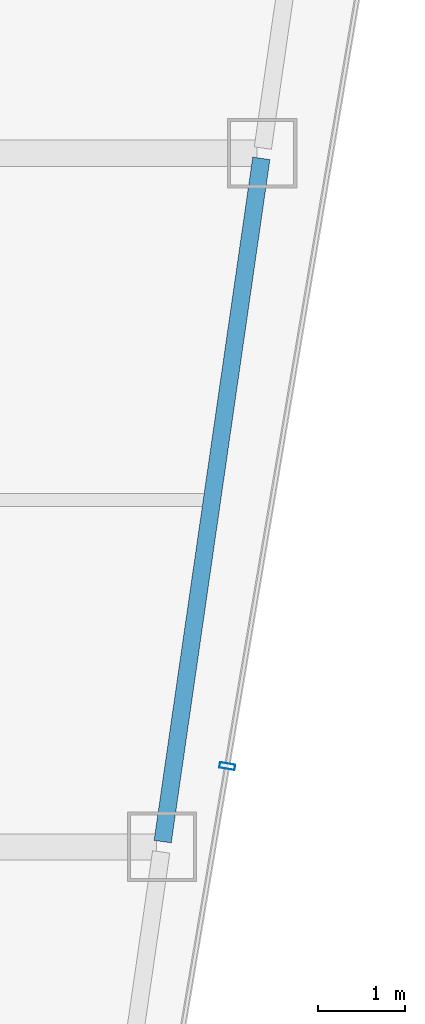
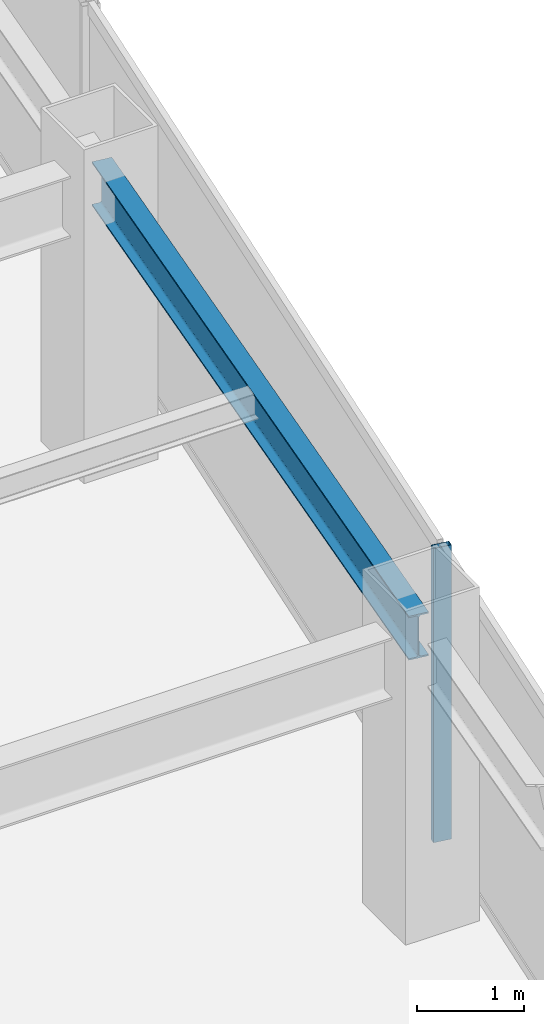
# One storey, part 18 of 34: 1 beam, 1 member, 1 element without a shape of its own.
"""IFC4 building model written with IfcOpenShell, lengths in metres."""

from ifc_helpers import new_model, si_unit, direction, frame, origin, origin_2d, place, context, subcontext, project, spatial, hollow_rectangle, i_section, extrude, material, material_profile, profile_set, type_object, element, aggregate, save


model = new_model("IFC4")

# Units and contexts
model_context = context("Model", 3, precision=1e-05, world=origin(), true_north=direction((0.0, 1.0)))
body_context = subcontext(model_context, "Body", "Model", "MODEL_VIEW")
ifc_project = project(units=[si_unit("LENGTHUNIT", "METRE"), si_unit("AREAUNIT", "SQUARE_METRE"), si_unit("VOLUMEUNIT", "CUBIC_METRE"), si_unit("PLANEANGLEUNIT", "RADIAN"), si_unit("MASSUNIT", "GRAM", prefix="KILO")], contexts=[model_context])

# Site, building, storey
site_placement = place(None, origin())
site = spatial("IfcSite", under=ifc_project, at=site_placement, CompositionType="ELEMENT")
building_placement = place(site_placement, origin())
building = spatial("IfcBuilding", under=site, at=building_placement, Name="Saevonmaru Cultural Tower", CompositionType="ELEMENT")
storey_placement = place(building_placement, frame((0.0, 0.0, 220.800048828125)))
storey = spatial("IfcBuildingStorey", under=building, at=storey_placement, Name="L51", CompositionType="ELEMENT", Elevation=220.800048828125)

# Beam
ifc_material_1 = material(Name="Steel SM355", Category="steel")
ifc_material_profile_1 = material_profile(ifc_material_1, i_section(OverallWidth=0.199951171875, OverallDepth=0.5, WebThickness=0.010009765625, FlangeThickness=0.01611328125, FilletRadius=0.02001953125, at=origin_2d()), Name="H-500x200x10x16")
ifc_profile_set_1 = profile_set([ifc_material_profile_1], Name="Steel SM355")
beam_type = type_object("IfcBeamType", Name="BM-SP-H500", PredefinedType="SPANDREL", material=ifc_profile_set_1)
beam_placement = place(storey_placement, frame((50.53662109375, 24.059326171875, 3.099853515625), z_axis=(0.142871999001, 0.989741174197, 0.0), x_axis=(-0.989741174197, 0.142871999001, 0.0)))
element("IfcBeam", 1, at=beam_placement, inside=storey, type_object=beam_type, Name="L51 East Splayed Spandrel 2", PredefinedType="SPANDREL", context=body_context, shape_type="SweptSolid", body=[
    extrude(i_section(OverallWidth=0.199951171875, OverallDepth=0.5, WebThickness=0.010009765625, FlangeThickness=0.01611328125, FilletRadius=0.02001953125, at=origin_2d()), origin(), (0.0, 0.0, 1.0), 7.963134765625),
])

# Curtain wall, member
ifc_material_2 = material(Name="Satin Bronze Anodised Aluminium", Category="aluminium")
curtain_wall_type = type_object("IfcCurtainWallType", Name="CW-TYP-B", PredefinedType="NOTDEFINED", material=ifc_material_2)
curtain_wall_placement = place(storey_placement, origin())
curtain_wall = element("IfcCurtainWall", 2, at=curtain_wall_placement, inside=storey, type_object=curtain_wall_type, Name="L51 Unitised Curtain Wall E8", PredefinedType="NOTDEFINED")
ifc_material_profile_2 = material_profile(ifc_material_2, hollow_rectangle(XDim=0.06494140625, YDim=0.179931640625, WallThickness=0.00390625, at=origin_2d()), Name="ALU-MULL-180x65x4")
ifc_profile_set_2 = profile_set([ifc_material_profile_2], Name="Satin Bronze Anodised Aluminium")
member_type = type_object("IfcMemberType", Name="ML-CW-180x65", PredefinedType="MULLION", material=ifc_profile_set_2)
member_placement = place(storey_placement, frame((51.28173828125, 24.9296875, 0.0), z_axis=(0.0, 0.0, 1.0), x_axis=(0.16692169721, 0.985970155228, 0.0)))
member = element("IfcMember", 3, at=member_placement, type_object=member_type, Name="CW-TW-L51-E8 mullion 2", PredefinedType="MULLION", context=body_context, shape_type="SweptSolid", body=[
    extrude(hollow_rectangle(XDim=0.06494140625, YDim=0.179931640625, WallThickness=0.00390625, at=origin_2d()), origin(), (0.0, 0.0, 1.0), 3.349853515625),
])
aggregate(curtain_wall, [member])

save(model, "model.ifc")
